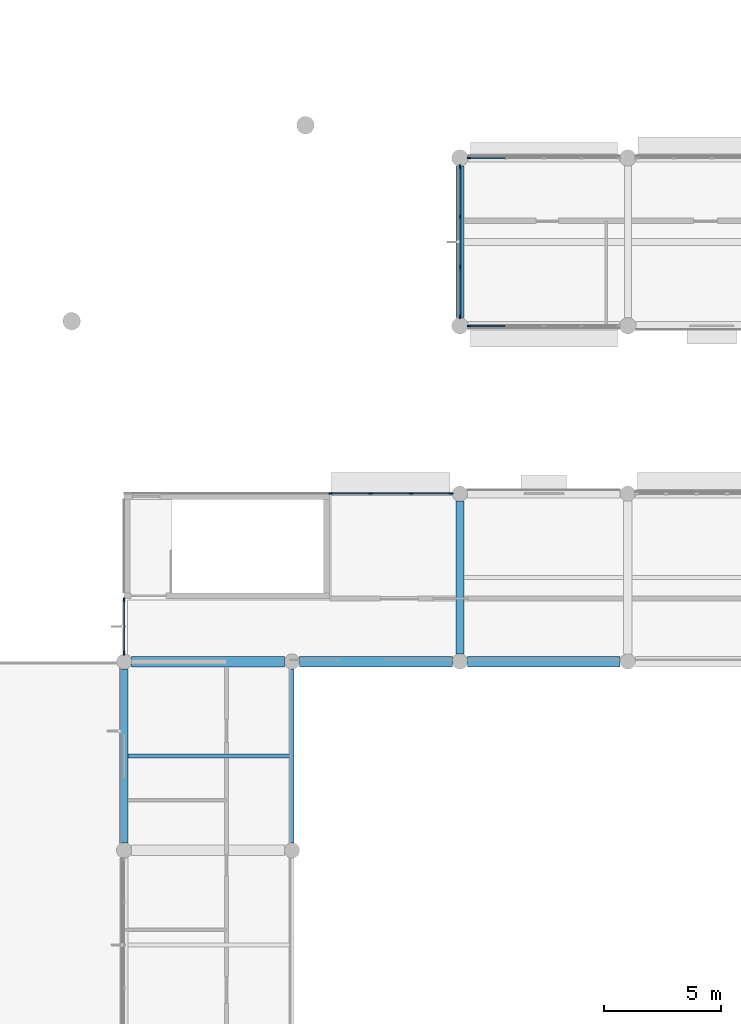
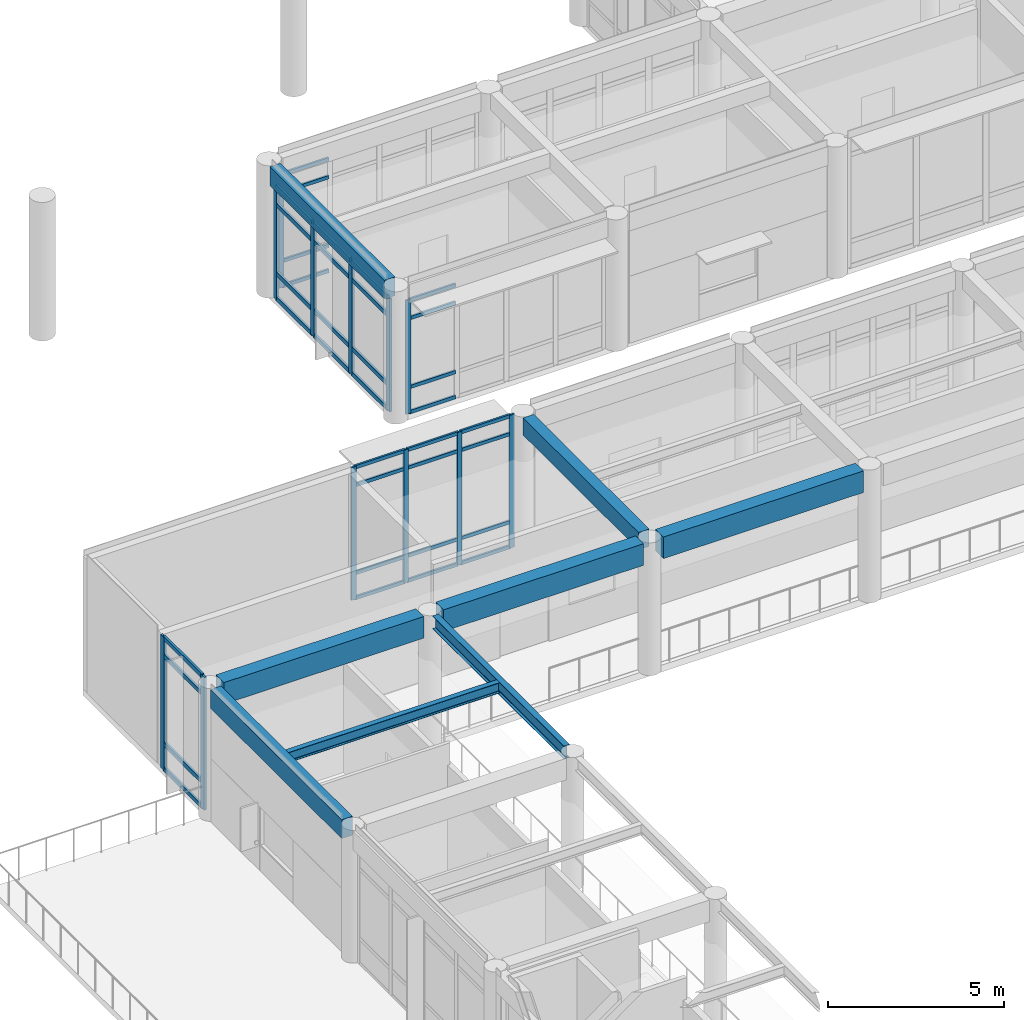
# One storey, part 17 of 92: 48 members, 8 beams, 5 elements without a shape of their own.
"""IFC4 building model written with IfcOpenShell, lengths in metres."""

from ifc_helpers import new_model, si_unit, direction, frame, origin, origin_2d, place, context, subcontext, project, spatial, rectangle, i_section, extrude, material, layer, layer_set, material_profile, profile_set, type_object, element, aggregate, save


model = new_model("IFC4")

# Units and contexts
model_context = context("Model", 3, precision=1e-05, world=origin(), true_north=direction((0.0, 1.0)))
body_context = subcontext(model_context, "Body", "Model", "MODEL_VIEW")
ifc_project = project(units=[si_unit("LENGTHUNIT", "METRE"), si_unit("AREAUNIT", "SQUARE_METRE"), si_unit("VOLUMEUNIT", "CUBIC_METRE"), si_unit("PLANEANGLEUNIT", "RADIAN"), si_unit("MASSUNIT", "GRAM", prefix="KILO")], contexts=[model_context])

# Site, building, storey
site_placement = place(None, origin())
site = spatial("IfcSite", under=ifc_project, at=site_placement, CompositionType="ELEMENT")
building_placement = place(site_placement, origin())
building = spatial("IfcBuilding", under=site, at=building_placement, Name="Namkhue Oval Health Centre", CompositionType="ELEMENT")
storey_placement = place(building_placement, frame((0.0, 0.0, 4.800048828125)))
storey = spatial("IfcBuildingStorey", under=building, at=storey_placement, Name="L01", CompositionType="ELEMENT", Elevation=4.800048828125)

# Curtain wall, members
ifc_material_1 = material(Name="Anodised aluminium EN AW-6063 T6", Category="aluminium")
ifc_layer_1 = layer(ifc_material_1, 0.159912109375)
ifc_layer_set_1 = layer_set([ifc_layer_1], Name="Anodised aluminium EN AW-6063 T6")
curtain_wall_type_1 = type_object("IfcCurtainWallType", Name="UNITISED CURTAIN WALL M1500", PredefinedType="NOTDEFINED", material=ifc_layer_set_1)
curtain_wall_1_placement = place(storey_placement, origin())
curtain_wall_1 = element("IfcCurtainWall", 1, at=curtain_wall_1_placement, inside=storey, type_object=curtain_wall_type_1, Name="Volume V1 L01 Unitised Curtain Wall 33", PredefinedType="NOTDEFINED")
ifc_material_profile_1 = material_profile(ifc_material_1, rectangle(XDim=0.06494140625, YDim=0.159912109375, at=origin_2d()), Name="ALU 65x160")
ifc_profile_set_1 = profile_set([ifc_material_profile_1], Name="Anodised aluminium EN AW-6063 T6")
member_type_1 = type_object("IfcMemberType", Name="CURTAIN WALL MULLION 65X160", PredefinedType="MULLION", material=ifc_profile_set_1)
member_1_placement = place(storey_placement, frame((35.632568359375, 82.800048828125, 0.0), z_axis=(0.0, 0.0, 1.0), x_axis=(0.0, -1.0, 0.0)))
member_1 = element("IfcMember", 2, at=member_1_placement, type_object=member_type_1, Name="CW-03 mullion 1", PredefinedType="MULLION", context=body_context, shape_type="SweptSolid", body=[
    extrude(rectangle(XDim=0.06494140625, YDim=0.159912109375, at=origin_2d()), origin(), (0.0, 0.0, 1.0), 4.599853515625),
])
member_2_placement = place(storey_placement, frame((33.915771484375, 82.800048828125, 0.0), z_axis=(0.0, 0.0, 1.0), x_axis=(0.0, -1.0, 0.0)))
member_2 = element("IfcMember", 3, at=member_2_placement, type_object=member_type_1, Name="CW-03 mullion 2", PredefinedType="MULLION", context=body_context, shape_type="SweptSolid", body=[
    extrude(rectangle(XDim=0.06494140625, YDim=0.159912109375, at=origin_2d()), origin(), (0.0, 0.0, 1.0), 4.599853515625),
])
member_3_placement = place(storey_placement, frame((32.166259765625, 82.800048828125, 0.0), z_axis=(0.0, 0.0, 1.0), x_axis=(0.0, -1.0, 0.0)))
member_3 = element("IfcMember", 4, at=member_3_placement, type_object=member_type_1, Name="CW-03 mullion 3", PredefinedType="MULLION", context=body_context, shape_type="SweptSolid", body=[
    extrude(rectangle(XDim=0.06494140625, YDim=0.159912109375, at=origin_2d()), origin(), (0.0, 0.0, 1.0), 4.599853515625),
])
member_4_placement = place(storey_placement, frame((30.449462890625, 82.800048828125, 0.0), z_axis=(0.0, 0.0, 1.0), x_axis=(0.0, -1.0, 0.0)))
member_4 = element("IfcMember", 5, at=member_4_placement, type_object=member_type_1, Name="CW-03 mullion 4", PredefinedType="MULLION", context=body_context, shape_type="SweptSolid", body=[
    extrude(rectangle(XDim=0.06494140625, YDim=0.159912109375, at=origin_2d()), origin(), (0.0, 0.0, 1.0), 4.599853515625),
])

# Curtain wall, member
ifc_layer_2 = layer(ifc_material_1, 0.159912109375)
ifc_layer_set_2 = layer_set([ifc_layer_2], Name="Anodised aluminium EN AW-6063 T6")
curtain_wall_type_2 = type_object("IfcCurtainWallType", Name="UNITISED CURTAIN WALL M1800", PredefinedType="NOTDEFINED", material=ifc_layer_set_2)
curtain_wall_2_placement = place(storey_placement, origin())
curtain_wall_2 = element("IfcCurtainWall", 6, at=curtain_wall_2_placement, inside=storey, type_object=curtain_wall_type_2, Name="Volume V2 L01 Unitised Curtain Wall 47", PredefinedType="NOTDEFINED")
member_5_placement = place(storey_placement, frame((36.392578125, 90.0, 0.0), z_axis=(0.0, 0.0, 1.0), x_axis=(0.0, 1.0, 0.0)))
member_5 = element("IfcMember", 7, at=member_5_placement, type_object=member_type_1, Name="CW-05 mullion 1", PredefinedType="MULLION", context=body_context, shape_type="SweptSolid", body=[
    extrude(rectangle(XDim=0.06494140625, YDim=0.159912109375, at=origin_2d()), origin(), (0.0, 0.0, 1.0), 3.93505859375),
])

curtain_wall_3_placement = place(storey_placement, origin())
curtain_wall_3 = element("IfcCurtainWall", 8, at=curtain_wall_3_placement, inside=storey, type_object=curtain_wall_type_2, Name="Volume V2 L01 Unitised Curtain Wall 59", PredefinedType="NOTDEFINED")
member_6_placement = place(storey_placement, frame((36.392578125, 97.199951171875, 0.0), z_axis=(0.0, 0.0, 1.0), x_axis=(0.0, -1.0, 0.0)))
member_6 = element("IfcMember", 9, at=member_6_placement, type_object=member_type_1, Name="CW-05 mullion 5", PredefinedType="MULLION", context=body_context, shape_type="SweptSolid", body=[
    extrude(rectangle(XDim=0.06494140625, YDim=0.159912109375, at=origin_2d()), origin(), (0.0, 0.0, 1.0), 3.93505859375),
])

# Curtain wall, members
ifc_layer_3 = layer(ifc_material_1, 0.159912109375)
ifc_layer_set_3 = layer_set([ifc_layer_3], Name="Anodised aluminium EN AW-6063 T6")
curtain_wall_type_3 = type_object("IfcCurtainWallType", Name="UNITISED CURTAIN WALL M1600", PredefinedType="NOTDEFINED", material=ifc_layer_set_3)
curtain_wall_4_placement = place(storey_placement, origin())
curtain_wall_4 = element("IfcCurtainWall", 10, at=curtain_wall_4_placement, inside=storey, type_object=curtain_wall_type_3, Name="Volume V1 L01 Unitised Curtain Wall 34", PredefinedType="NOTDEFINED")
ifc_material_profile_2 = material_profile(ifc_material_1, rectangle(XDim=0.074951171875, YDim=0.199951171875, at=origin_2d()), Name="ALU 75x200")
ifc_profile_set_2 = profile_set([ifc_material_profile_2], Name="Anodised aluminium EN AW-6063 T6")
member_type_2 = type_object("IfcMemberType", Name="CURTAIN WALL MULLION 75X200", PredefinedType="MULLION", material=ifc_profile_set_2)
member_7_placement = place(storey_placement, frame((21.60009765625, 78.24560546875, 0.0), z_axis=(0.0, 0.0, 1.0), x_axis=(1.0, 0.0, 0.0)))
member_7 = element("IfcMember", 11, at=member_7_placement, type_object=member_type_2, Name="CW-04 mullion 1", PredefinedType="MULLION", context=body_context, shape_type="SweptSolid", body=[
    extrude(rectangle(XDim=0.074951171875, YDim=0.199951171875, at=origin_2d()), origin(), (0.0, 0.0, 1.0), 4.599853515625),
])
member_8_placement = place(storey_placement, frame((21.60009765625, 75.972412109375, 0.0), z_axis=(0.0, 0.0, 1.0), x_axis=(1.0, 0.0, 0.0)))
member_8 = element("IfcMember", 12, at=member_8_placement, type_object=member_type_2, Name="CW-04 mullion 2", PredefinedType="MULLION", context=body_context, shape_type="SweptSolid", body=[
    extrude(rectangle(XDim=0.074951171875, YDim=0.199951171875, at=origin_2d()), origin(), (0.0, 0.0, 1.0), 4.599853515625),
])

ifc_layer_4 = layer(ifc_material_1, 0.159912109375)
ifc_layer_set_4 = layer_set([ifc_layer_4], Name="Anodised aluminium EN AW-6063 T6")
curtain_wall_type_4 = type_object("IfcCurtainWallType", Name="UNITISED CURTAIN WALL M2000", PredefinedType="NOTDEFINED", material=ifc_layer_set_4)
curtain_wall_5_placement = place(storey_placement, origin())
curtain_wall_5 = element("IfcCurtainWall", 13, at=curtain_wall_5_placement, inside=storey, type_object=curtain_wall_type_4, Name="Volume V2 L01 Unitised Curtain Wall 60", PredefinedType="NOTDEFINED")
member_9_placement = place(storey_placement, frame((36.0, 96.802490234375, 0.0), z_axis=(0.0, 0.0, 1.0), x_axis=(1.0, 0.0, 0.0)))
member_9 = element("IfcMember", 14, at=member_9_placement, type_object=member_type_2, Name="CW-06 mullion 1", PredefinedType="MULLION", context=body_context, shape_type="SweptSolid", body=[
    extrude(rectangle(XDim=0.074951171875, YDim=0.199951171875, at=origin_2d()), origin(), (0.0, 0.0, 1.0), 3.93505859375),
])
member_10_placement = place(storey_placement, frame((36.0, 94.679931640625, 0.0), z_axis=(0.0, 0.0, 1.0), x_axis=(1.0, 0.0, 0.0)))
member_10 = element("IfcMember", 15, at=member_10_placement, type_object=member_type_2, Name="CW-06 mullion 2", PredefinedType="MULLION", context=body_context, shape_type="SweptSolid", body=[
    extrude(rectangle(XDim=0.074951171875, YDim=0.199951171875, at=origin_2d()), origin(), (0.0, 0.0, 1.0), 3.93505859375),
])
member_11_placement = place(storey_placement, frame((36.0, 92.52001953125, 0.0), z_axis=(0.0, 0.0, 1.0), x_axis=(1.0, 0.0, 0.0)))
member_11 = element("IfcMember", 16, at=member_11_placement, type_object=member_type_2, Name="CW-06 mullion 3", PredefinedType="MULLION", context=body_context, shape_type="SweptSolid", body=[
    extrude(rectangle(XDim=0.074951171875, YDim=0.199951171875, at=origin_2d()), origin(), (0.0, 0.0, 1.0), 3.93505859375),
])
member_12_placement = place(storey_placement, frame((36.0, 90.3974609375, 0.0), z_axis=(0.0, 0.0, 1.0), x_axis=(1.0, 0.0, 0.0)))
member_12 = element("IfcMember", 17, at=member_12_placement, type_object=member_type_2, Name="CW-06 mullion 4", PredefinedType="MULLION", context=body_context, shape_type="SweptSolid", body=[
    extrude(rectangle(XDim=0.074951171875, YDim=0.199951171875, at=origin_2d()), origin(), (0.0, 0.0, 1.0), 3.93505859375),
])

# Member
ifc_material_profile_3 = material_profile(ifc_material_1, rectangle(XDim=0.06494140625, YDim=0.1201171875, at=origin_2d()), Name="ALU 65x120")
ifc_profile_set_3 = profile_set([ifc_material_profile_3], Name="Anodised aluminium EN AW-6063 T6")
member_type_3 = type_object("IfcMemberType", Name="CURTAIN WALL TRANSOM 65X120", PredefinedType="USERDEFINED", material=ifc_profile_set_3)
member_13_placement = place(storey_placement, frame((35.60009765625, 82.800048828125, 0.032470703125), z_axis=(-1.0, 0.0, 0.0), x_axis=(0.0, -1.0, 0.0)))
member_13 = element("IfcMember", 18, at=member_13_placement, type_object=member_type_3, Name="CW-03 transom 1.1", ObjectType="TRANSOM", PredefinedType="USERDEFINED", context=body_context, shape_type="SweptSolid", body=[
    extrude(rectangle(XDim=0.06494140625, YDim=0.1201171875, at=origin_2d()), origin(), (0.0, 0.0, 1.0), 1.65185546875),
])

member_14_placement = place(storey_placement, frame((35.60009765625, 82.800048828125, 0.89990234375), z_axis=(-1.0, 0.0, 0.0), x_axis=(0.0, -1.0, 0.0)))
member_14 = element("IfcMember", 19, at=member_14_placement, type_object=member_type_3, Name="CW-03 transom 1.2", ObjectType="TRANSOM", PredefinedType="USERDEFINED", context=body_context, shape_type="SweptSolid", body=[
    extrude(rectangle(XDim=0.06494140625, YDim=0.1201171875, at=origin_2d()), origin(), (0.0, 0.0, 1.0), 1.65185546875),
])

member_15_placement = place(storey_placement, frame((35.60009765625, 82.800048828125, 3.949951171875), z_axis=(-1.0, 0.0, 0.0), x_axis=(0.0, -1.0, 0.0)))
member_15 = element("IfcMember", 20, at=member_15_placement, type_object=member_type_3, Name="CW-03 transom 1.3", ObjectType="TRANSOM", PredefinedType="USERDEFINED", context=body_context, shape_type="SweptSolid", body=[
    extrude(rectangle(XDim=0.06494140625, YDim=0.1201171875, at=origin_2d()), origin(), (0.0, 0.0, 1.0), 1.65185546875),
])

member_16_placement = place(storey_placement, frame((35.60009765625, 82.800048828125, 4.5673828125), z_axis=(-1.0, 0.0, 0.0), x_axis=(0.0, -1.0, 0.0)))
member_16 = element("IfcMember", 21, at=member_16_placement, type_object=member_type_3, Name="CW-03 transom 1.4", ObjectType="TRANSOM", PredefinedType="USERDEFINED", context=body_context, shape_type="SweptSolid", body=[
    extrude(rectangle(XDim=0.06494140625, YDim=0.1201171875, at=origin_2d()), origin(), (0.0, 0.0, 1.0), 1.65185546875),
])

member_17_placement = place(storey_placement, frame((33.883056640625, 82.800048828125, 0.032470703125), z_axis=(-1.0, 0.0, 0.0), x_axis=(0.0, -1.0, 0.0)))
member_17 = element("IfcMember", 22, at=member_17_placement, type_object=member_type_3, Name="CW-03 transom 2.1", ObjectType="TRANSOM", PredefinedType="USERDEFINED", context=body_context, shape_type="SweptSolid", body=[
    extrude(rectangle(XDim=0.06494140625, YDim=0.1201171875, at=origin_2d()), origin(), (0.0, 0.0, 1.0), 1.684326171875),
])

member_18_placement = place(storey_placement, frame((33.883056640625, 82.800048828125, 0.89990234375), z_axis=(-1.0, 0.0, 0.0), x_axis=(0.0, -1.0, 0.0)))
member_18 = element("IfcMember", 23, at=member_18_placement, type_object=member_type_3, Name="CW-03 transom 2.2", ObjectType="TRANSOM", PredefinedType="USERDEFINED", context=body_context, shape_type="SweptSolid", body=[
    extrude(rectangle(XDim=0.06494140625, YDim=0.1201171875, at=origin_2d()), origin(), (0.0, 0.0, 1.0), 1.684326171875),
])

member_19_placement = place(storey_placement, frame((33.883056640625, 82.800048828125, 3.949951171875), z_axis=(-1.0, 0.0, 0.0), x_axis=(0.0, -1.0, 0.0)))
member_19 = element("IfcMember", 24, at=member_19_placement, type_object=member_type_3, Name="CW-03 transom 2.3", ObjectType="TRANSOM", PredefinedType="USERDEFINED", context=body_context, shape_type="SweptSolid", body=[
    extrude(rectangle(XDim=0.06494140625, YDim=0.1201171875, at=origin_2d()), origin(), (0.0, 0.0, 1.0), 1.684326171875),
])

member_20_placement = place(storey_placement, frame((33.883056640625, 82.800048828125, 4.5673828125), z_axis=(-1.0, 0.0, 0.0), x_axis=(0.0, -1.0, 0.0)))
member_20 = element("IfcMember", 25, at=member_20_placement, type_object=member_type_3, Name="CW-03 transom 2.4", ObjectType="TRANSOM", PredefinedType="USERDEFINED", context=body_context, shape_type="SweptSolid", body=[
    extrude(rectangle(XDim=0.06494140625, YDim=0.1201171875, at=origin_2d()), origin(), (0.0, 0.0, 1.0), 1.684326171875),
])

member_21_placement = place(storey_placement, frame((32.1337890625, 82.800048828125, 0.032470703125), z_axis=(-1.0, 0.0, 0.0), x_axis=(0.0, -1.0, 0.0)))
member_21 = element("IfcMember", 26, at=member_21_placement, type_object=member_type_3, Name="CW-03 transom 3.1", ObjectType="TRANSOM", PredefinedType="USERDEFINED", context=body_context, shape_type="SweptSolid", body=[
    extrude(rectangle(XDim=0.06494140625, YDim=0.1201171875, at=origin_2d()), origin(), (0.0, 0.0, 1.0), 1.65185546875),
])

member_22_placement = place(storey_placement, frame((32.1337890625, 82.800048828125, 0.89990234375), z_axis=(-1.0, 0.0, 0.0), x_axis=(0.0, -1.0, 0.0)))
member_22 = element("IfcMember", 27, at=member_22_placement, type_object=member_type_3, Name="CW-03 transom 3.2", ObjectType="TRANSOM", PredefinedType="USERDEFINED", context=body_context, shape_type="SweptSolid", body=[
    extrude(rectangle(XDim=0.06494140625, YDim=0.1201171875, at=origin_2d()), origin(), (0.0, 0.0, 1.0), 1.65185546875),
])

member_23_placement = place(storey_placement, frame((32.1337890625, 82.800048828125, 3.949951171875), z_axis=(-1.0, 0.0, 0.0), x_axis=(0.0, -1.0, 0.0)))
member_23 = element("IfcMember", 28, at=member_23_placement, type_object=member_type_3, Name="CW-03 transom 3.3", ObjectType="TRANSOM", PredefinedType="USERDEFINED", context=body_context, shape_type="SweptSolid", body=[
    extrude(rectangle(XDim=0.06494140625, YDim=0.1201171875, at=origin_2d()), origin(), (0.0, 0.0, 1.0), 1.65185546875),
])

member_24_placement = place(storey_placement, frame((32.1337890625, 82.800048828125, 4.5673828125), z_axis=(-1.0, 0.0, 0.0), x_axis=(0.0, -1.0, 0.0)))
member_24 = element("IfcMember", 29, at=member_24_placement, type_object=member_type_3, Name="CW-03 transom 3.4", ObjectType="TRANSOM", PredefinedType="USERDEFINED", context=body_context, shape_type="SweptSolid", body=[
    extrude(rectangle(XDim=0.06494140625, YDim=0.1201171875, at=origin_2d()), origin(), (0.0, 0.0, 1.0), 1.65185546875),
])

aggregate(curtain_wall_1, [member_1, member_2, member_3, member_4, member_13, member_14, member_15, member_16, member_17, member_18, member_19, member_20, member_21, member_22, member_23, member_24])

member_25_placement = place(storey_placement, frame((36.425048828125, 90.0, 0.032470703125), z_axis=(1.0, 0.0, 0.0), x_axis=(0.0, 1.0, 0.0)))
member_25 = element("IfcMember", 30, at=member_25_placement, type_object=member_type_3, Name="CW-05 transom 1.1", ObjectType="TRANSOM", PredefinedType="USERDEFINED", context=body_context, shape_type="SweptSolid", body=[
    extrude(rectangle(XDim=0.06494140625, YDim=0.1201171875, at=origin_2d()), origin(), (0.0, 0.0, 1.0), 1.5224609375),
])

member_26_placement = place(storey_placement, frame((36.425048828125, 90.0, 0.89990234375), z_axis=(1.0, 0.0, 0.0), x_axis=(0.0, 1.0, 0.0)))
member_26 = element("IfcMember", 31, at=member_26_placement, type_object=member_type_3, Name="CW-05 transom 1.2", ObjectType="TRANSOM", PredefinedType="USERDEFINED", context=body_context, shape_type="SweptSolid", body=[
    extrude(rectangle(XDim=0.06494140625, YDim=0.1201171875, at=origin_2d()), origin(), (0.0, 0.0, 1.0), 1.5224609375),
])

member_27_placement = place(storey_placement, frame((36.425048828125, 90.0, 3.284912109375), z_axis=(1.0, 0.0, 0.0), x_axis=(0.0, 1.0, 0.0)))
member_27 = element("IfcMember", 32, at=member_27_placement, type_object=member_type_3, Name="CW-05 transom 1.3", ObjectType="TRANSOM", PredefinedType="USERDEFINED", context=body_context, shape_type="SweptSolid", body=[
    extrude(rectangle(XDim=0.06494140625, YDim=0.1201171875, at=origin_2d()), origin(), (0.0, 0.0, 1.0), 1.5224609375),
])

member_28_placement = place(storey_placement, frame((36.425048828125, 90.0, 3.90234375), z_axis=(1.0, 0.0, 0.0), x_axis=(0.0, 1.0, 0.0)))
member_28 = element("IfcMember", 33, at=member_28_placement, type_object=member_type_3, Name="CW-05 transom 1.4", ObjectType="TRANSOM", PredefinedType="USERDEFINED", context=body_context, shape_type="SweptSolid", body=[
    extrude(rectangle(XDim=0.06494140625, YDim=0.1201171875, at=origin_2d()), origin(), (0.0, 0.0, 1.0), 1.5224609375),
])

aggregate(curtain_wall_2, [member_5, member_25, member_26, member_27, member_28])

member_29_placement = place(storey_placement, frame((37.947509765625, 97.199951171875, 0.032470703125), z_axis=(-1.0, 0.0, 0.0), x_axis=(0.0, -1.0, 0.0)))
member_29 = element("IfcMember", 34, at=member_29_placement, type_object=member_type_3, Name="CW-05 transom 4.1", ObjectType="TRANSOM", PredefinedType="USERDEFINED", context=body_context, shape_type="SweptSolid", body=[
    extrude(rectangle(XDim=0.06494140625, YDim=0.1201171875, at=origin_2d()), origin(), (0.0, 0.0, 1.0), 1.5224609375),
])

member_30_placement = place(storey_placement, frame((37.947509765625, 97.199951171875, 0.89990234375), z_axis=(-1.0, 0.0, 0.0), x_axis=(0.0, -1.0, 0.0)))
member_30 = element("IfcMember", 35, at=member_30_placement, type_object=member_type_3, Name="CW-05 transom 4.2", ObjectType="TRANSOM", PredefinedType="USERDEFINED", context=body_context, shape_type="SweptSolid", body=[
    extrude(rectangle(XDim=0.06494140625, YDim=0.1201171875, at=origin_2d()), origin(), (0.0, 0.0, 1.0), 1.5224609375),
])

member_31_placement = place(storey_placement, frame((37.947509765625, 97.199951171875, 3.284912109375), z_axis=(-1.0, 0.0, 0.0), x_axis=(0.0, -1.0, 0.0)))
member_31 = element("IfcMember", 36, at=member_31_placement, type_object=member_type_3, Name="CW-05 transom 4.3", ObjectType="TRANSOM", PredefinedType="USERDEFINED", context=body_context, shape_type="SweptSolid", body=[
    extrude(rectangle(XDim=0.06494140625, YDim=0.1201171875, at=origin_2d()), origin(), (0.0, 0.0, 1.0), 1.5224609375),
])

member_32_placement = place(storey_placement, frame((37.947509765625, 97.199951171875, 3.90234375), z_axis=(-1.0, 0.0, 0.0), x_axis=(0.0, -1.0, 0.0)))
member_32 = element("IfcMember", 37, at=member_32_placement, type_object=member_type_3, Name="CW-05 transom 4.4", ObjectType="TRANSOM", PredefinedType="USERDEFINED", context=body_context, shape_type="SweptSolid", body=[
    extrude(rectangle(XDim=0.06494140625, YDim=0.1201171875, at=origin_2d()), origin(), (0.0, 0.0, 1.0), 1.5224609375),
])

aggregate(curtain_wall_3, [member_6, member_29, member_30, member_31, member_32])

ifc_material_profile_4 = material_profile(ifc_material_1, rectangle(XDim=0.074951171875, YDim=0.14990234375, at=origin_2d()), Name="ALU 75x150")
ifc_profile_set_4 = profile_set([ifc_material_profile_4], Name="Anodised aluminium EN AW-6063 T6")
member_type_4 = type_object("IfcMemberType", Name="CURTAIN WALL TRANSOM 75X150", PredefinedType="USERDEFINED", material=ifc_profile_set_4)
member_33_placement = place(storey_placement, frame((21.60009765625, 78.2080078125, 0.037353515625), z_axis=(0.0, -1.0, 0.0), x_axis=(1.0, 0.0, 0.0)))
member_33 = element("IfcMember", 38, at=member_33_placement, type_object=member_type_4, Name="CW-04 transom 1.1", ObjectType="TRANSOM", PredefinedType="USERDEFINED", context=body_context, shape_type="SweptSolid", body=[
    extrude(rectangle(XDim=0.074951171875, YDim=0.14990234375, at=origin_2d()), origin(), (0.0, 0.0, 1.0), 2.197998046875),
])

member_34_placement = place(storey_placement, frame((21.60009765625, 78.2080078125, 0.89990234375), z_axis=(0.0, -1.0, 0.0), x_axis=(1.0, 0.0, 0.0)))
member_34 = element("IfcMember", 39, at=member_34_placement, type_object=member_type_4, Name="CW-04 transom 1.2", ObjectType="TRANSOM", PredefinedType="USERDEFINED", context=body_context, shape_type="SweptSolid", body=[
    extrude(rectangle(XDim=0.074951171875, YDim=0.14990234375, at=origin_2d()), origin(), (0.0, 0.0, 1.0), 2.197998046875),
])

member_35_placement = place(storey_placement, frame((21.60009765625, 78.2080078125, 3.949951171875), z_axis=(0.0, -1.0, 0.0), x_axis=(1.0, 0.0, 0.0)))
member_35 = element("IfcMember", 40, at=member_35_placement, type_object=member_type_4, Name="CW-04 transom 1.3", ObjectType="TRANSOM", PredefinedType="USERDEFINED", context=body_context, shape_type="SweptSolid", body=[
    extrude(rectangle(XDim=0.074951171875, YDim=0.14990234375, at=origin_2d()), origin(), (0.0, 0.0, 1.0), 2.197998046875),
])

member_36_placement = place(storey_placement, frame((21.60009765625, 78.2080078125, 4.5625), z_axis=(0.0, -1.0, 0.0), x_axis=(1.0, 0.0, 0.0)))
member_36 = element("IfcMember", 41, at=member_36_placement, type_object=member_type_4, Name="CW-04 transom 1.4", ObjectType="TRANSOM", PredefinedType="USERDEFINED", context=body_context, shape_type="SweptSolid", body=[
    extrude(rectangle(XDim=0.074951171875, YDim=0.14990234375, at=origin_2d()), origin(), (0.0, 0.0, 1.0), 2.197998046875),
])

aggregate(curtain_wall_4, [member_7, member_8, member_33, member_34, member_35, member_36])

member_37_placement = place(storey_placement, frame((36.0, 96.764892578125, 0.037353515625), z_axis=(0.0, -1.0, 0.0), x_axis=(1.0, 0.0, 0.0)))
member_37 = element("IfcMember", 42, at=member_37_placement, type_object=member_type_4, Name="CW-06 transom 1.1", ObjectType="TRANSOM", PredefinedType="USERDEFINED", context=body_context, shape_type="SweptSolid", body=[
    extrude(rectangle(XDim=0.074951171875, YDim=0.14990234375, at=origin_2d()), origin(), (0.0, 0.0, 1.0), 2.04736328125),
])

member_38_placement = place(storey_placement, frame((36.0, 96.764892578125, 0.89990234375), z_axis=(0.0, -1.0, 0.0), x_axis=(1.0, 0.0, 0.0)))
member_38 = element("IfcMember", 43, at=member_38_placement, type_object=member_type_4, Name="CW-06 transom 1.2", ObjectType="TRANSOM", PredefinedType="USERDEFINED", context=body_context, shape_type="SweptSolid", body=[
    extrude(rectangle(XDim=0.074951171875, YDim=0.14990234375, at=origin_2d()), origin(), (0.0, 0.0, 1.0), 2.04736328125),
])

member_39_placement = place(storey_placement, frame((36.0, 96.764892578125, 3.284912109375), z_axis=(0.0, -1.0, 0.0), x_axis=(1.0, 0.0, 0.0)))
member_39 = element("IfcMember", 44, at=member_39_placement, type_object=member_type_4, Name="CW-06 transom 1.3", ObjectType="TRANSOM", PredefinedType="USERDEFINED", context=body_context, shape_type="SweptSolid", body=[
    extrude(rectangle(XDim=0.074951171875, YDim=0.14990234375, at=origin_2d()), origin(), (0.0, 0.0, 1.0), 2.04736328125),
])

member_40_placement = place(storey_placement, frame((36.0, 96.764892578125, 3.8974609375), z_axis=(0.0, -1.0, 0.0), x_axis=(1.0, 0.0, 0.0)))
member_40 = element("IfcMember", 45, at=member_40_placement, type_object=member_type_4, Name="CW-06 transom 1.4", ObjectType="TRANSOM", PredefinedType="USERDEFINED", context=body_context, shape_type="SweptSolid", body=[
    extrude(rectangle(XDim=0.074951171875, YDim=0.14990234375, at=origin_2d()), origin(), (0.0, 0.0, 1.0), 2.04736328125),
])

member_41_placement = place(storey_placement, frame((36.0, 94.642578125, 0.037353515625), z_axis=(0.0, -1.0, 0.0), x_axis=(1.0, 0.0, 0.0)))
member_41 = element("IfcMember", 46, at=member_41_placement, type_object=member_type_4, Name="CW-06 transom 2.1", ObjectType="TRANSOM", PredefinedType="USERDEFINED", context=body_context, shape_type="SweptSolid", body=[
    extrude(rectangle(XDim=0.074951171875, YDim=0.14990234375, at=origin_2d()), origin(), (0.0, 0.0, 1.0), 2.0849609375),
])

member_42_placement = place(storey_placement, frame((36.0, 94.642578125, 0.89990234375), z_axis=(0.0, -1.0, 0.0), x_axis=(1.0, 0.0, 0.0)))
member_42 = element("IfcMember", 47, at=member_42_placement, type_object=member_type_4, Name="CW-06 transom 2.2", ObjectType="TRANSOM", PredefinedType="USERDEFINED", context=body_context, shape_type="SweptSolid", body=[
    extrude(rectangle(XDim=0.074951171875, YDim=0.14990234375, at=origin_2d()), origin(), (0.0, 0.0, 1.0), 2.0849609375),
])

member_43_placement = place(storey_placement, frame((36.0, 94.642578125, 3.284912109375), z_axis=(0.0, -1.0, 0.0), x_axis=(1.0, 0.0, 0.0)))
member_43 = element("IfcMember", 48, at=member_43_placement, type_object=member_type_4, Name="CW-06 transom 2.3", ObjectType="TRANSOM", PredefinedType="USERDEFINED", context=body_context, shape_type="SweptSolid", body=[
    extrude(rectangle(XDim=0.074951171875, YDim=0.14990234375, at=origin_2d()), origin(), (0.0, 0.0, 1.0), 2.0849609375),
])

member_44_placement = place(storey_placement, frame((36.0, 94.642578125, 3.8974609375), z_axis=(0.0, -1.0, 0.0), x_axis=(1.0, 0.0, 0.0)))
member_44 = element("IfcMember", 49, at=member_44_placement, type_object=member_type_4, Name="CW-06 transom 2.4", ObjectType="TRANSOM", PredefinedType="USERDEFINED", context=body_context, shape_type="SweptSolid", body=[
    extrude(rectangle(XDim=0.074951171875, YDim=0.14990234375, at=origin_2d()), origin(), (0.0, 0.0, 1.0), 2.0849609375),
])

member_45_placement = place(storey_placement, frame((36.0, 92.482421875, 0.037353515625), z_axis=(0.0, -1.0, 0.0), x_axis=(1.0, 0.0, 0.0)))
member_45 = element("IfcMember", 50, at=member_45_placement, type_object=member_type_4, Name="CW-06 transom 3.1", ObjectType="TRANSOM", PredefinedType="USERDEFINED", context=body_context, shape_type="SweptSolid", body=[
    extrude(rectangle(XDim=0.074951171875, YDim=0.14990234375, at=origin_2d()), origin(), (0.0, 0.0, 1.0), 2.04736328125),
])

member_46_placement = place(storey_placement, frame((36.0, 92.482421875, 0.89990234375), z_axis=(0.0, -1.0, 0.0), x_axis=(1.0, 0.0, 0.0)))
member_46 = element("IfcMember", 51, at=member_46_placement, type_object=member_type_4, Name="CW-06 transom 3.2", ObjectType="TRANSOM", PredefinedType="USERDEFINED", context=body_context, shape_type="SweptSolid", body=[
    extrude(rectangle(XDim=0.074951171875, YDim=0.14990234375, at=origin_2d()), origin(), (0.0, 0.0, 1.0), 2.04736328125),
])

member_47_placement = place(storey_placement, frame((36.0, 92.482421875, 3.284912109375), z_axis=(0.0, -1.0, 0.0), x_axis=(1.0, 0.0, 0.0)))
member_47 = element("IfcMember", 52, at=member_47_placement, type_object=member_type_4, Name="CW-06 transom 3.3", ObjectType="TRANSOM", PredefinedType="USERDEFINED", context=body_context, shape_type="SweptSolid", body=[
    extrude(rectangle(XDim=0.074951171875, YDim=0.14990234375, at=origin_2d()), origin(), (0.0, 0.0, 1.0), 2.04736328125),
])

member_48_placement = place(storey_placement, frame((36.0, 92.482421875, 3.8974609375), z_axis=(0.0, -1.0, 0.0), x_axis=(1.0, 0.0, 0.0)))
member_48 = element("IfcMember", 53, at=member_48_placement, type_object=member_type_4, Name="CW-06 transom 3.4", ObjectType="TRANSOM", PredefinedType="USERDEFINED", context=body_context, shape_type="SweptSolid", body=[
    extrude(rectangle(XDim=0.074951171875, YDim=0.14990234375, at=origin_2d()), origin(), (0.0, 0.0, 1.0), 2.04736328125),
])

aggregate(curtain_wall_5, [member_9, member_10, member_11, member_12, member_37, member_38, member_39, member_40, member_41, member_42, member_43, member_44, member_45, member_46, member_47, member_48])

# Beams
ifc_material_2 = material(Name="Reinforced concrete C30/37 (TCVN B35)", Category="concrete")
ifc_material_profile_5 = material_profile(ifc_material_2, rectangle(XDim=0.35009765625, YDim=0.60009765625, at=origin_2d()), Name="RC 350x600")
ifc_profile_set_5 = profile_set([ifc_material_profile_5], Name="Reinforced concrete C30/37 (TCVN B35)")
beam_type_1 = type_object("IfcBeamType", Name="FLOOR BEAM RC 350X600", PredefinedType="BEAM", material=ifc_profile_set_5)
beam_1_placement = place(storey_placement, frame((36.0, 75.925048828125, 4.300048828125), z_axis=(0.0, 1.0, 0.0), x_axis=(-1.0, 0.0, 0.0)))
element("IfcBeam", 54, at=beam_1_placement, inside=storey, type_object=beam_type_1, Name="Volume V1 L02 Beam 6/L-M", PredefinedType="BEAM", context=body_context, shape_type="SweptSolid", body=[
    extrude(rectangle(XDim=0.35009765625, YDim=0.60009765625, at=origin_2d()), origin(), (0.0, 0.0, 1.0), 6.550048828125),
])
ifc_material_3 = material(Name="Structural steel EN 10025-2 S355JR (TCVN 5575:2024)", Category="steel")
ifc_material_profile_6 = material_profile(ifc_material_3, i_section(OverallWidth=0.18994140625, OverallDepth=0.449951171875, WebThickness=0.009521484375, FlangeThickness=0.0146484375, FilletRadius=0.02099609375, at=origin_2d()), Name="IPE 450")
ifc_profile_set_6 = profile_set([ifc_material_profile_6], Name="Structural steel EN 10025-2 S355JR (TCVN 5575:2024)")
beam_type_2 = type_object("IfcBeamType", Name="FLOOR BEAM STEEL IPE 450", PredefinedType="BEAM", material=ifc_profile_set_6)
beam_2_placement = place(storey_placement, frame((28.800048828125, 67.824951171875, 4.375), z_axis=(0.0, 1.0, 0.0), x_axis=(-1.0, 0.0, 0.0)))
element("IfcBeam", 55, at=beam_2_placement, inside=storey, type_object=beam_type_2, Name="Volume V1 L02 Beam 5/K-L", PredefinedType="BEAM", context=body_context, shape_type="SweptSolid", body=[
    extrude(i_section(OverallWidth=0.18994140625, OverallDepth=0.449951171875, WebThickness=0.009521484375, FlangeThickness=0.0146484375, FilletRadius=0.02099609375, at=origin_2d()), origin(), (0.0, 0.0, 1.0), 7.449951171875),
])
ifc_material_4 = material(Name="Reinforced concrete C35/45 (TCVN B40)", Category="concrete")
ifc_material_profile_7 = material_profile(ifc_material_4, rectangle(XDim=0.35009765625, YDim=0.64990234375, at=origin_2d()), Name="RC 350x650")
ifc_profile_set_7 = profile_set([ifc_material_profile_7], Name="Reinforced concrete C35/45 (TCVN B40)")
beam_type_3 = type_object("IfcBeamType", Name="PERIMETER SPANDREL BEAM 350X650", PredefinedType="SPANDREL", material=ifc_profile_set_7)
beam_3_placement = place(storey_placement, frame((21.60009765625, 67.824951171875, 4.27490234375), z_axis=(0.0, 1.0, 0.0), x_axis=(-1.0, 0.0, 0.0)))
element("IfcBeam", 56, at=beam_3_placement, inside=storey, type_object=beam_type_3, Name="Volume V1 L02 Beam 4/K-L", PredefinedType="SPANDREL", context=body_context, shape_type="SweptSolid", body=[
    extrude(rectangle(XDim=0.35009765625, YDim=0.64990234375, at=origin_2d()), origin(), (0.0, 0.0, 1.0), 7.449951171875),
])
beam_4_placement = place(storey_placement, frame((36.0, 90.35009765625, 4.260009765625), z_axis=(0.0, 1.0, 0.0), x_axis=(-1.0, 0.0, 0.0)))
element("IfcBeam", 57, at=beam_4_placement, inside=storey, type_object=beam_type_3, Name="Volume V2 L02 Beam 6/N-O", PredefinedType="SPANDREL", context=body_context, shape_type="SweptSolid", body=[
    extrude(rectangle(XDim=0.35009765625, YDim=0.64990234375, at=origin_2d()), origin(), (0.0, 0.0, 1.0), 6.5),
])
ifc_material_profile_8 = material_profile(ifc_material_4, rectangle(XDim=0.449951171875, YDim=0.75, at=origin_2d()), Name="RC 450x750")
ifc_profile_set_8 = profile_set([ifc_material_profile_8], Name="Reinforced concrete C35/45 (TCVN B40)")
beam_type_4 = type_object("IfcBeamType", Name="PRIMARY GIRDER RC 450X750", PredefinedType="USERDEFINED", material=ifc_profile_set_8)
for number, where, z_axis, x_axis, name in (
    (58, (21.925048828125, 75.60009765625, 4.224853515625), (1.0, 0.0, 0.0), (0.0, 1.0, 0.0), "Volume V1 L02 Girder L/4-5"),
    (59, (29.125, 75.60009765625, 4.224853515625), (1.0, 0.0, 0.0), (0.0, 1.0, 0.0), "Volume V1 L02 Girder L/5-6"),
    (60, (36.324951171875, 75.60009765625, 4.224853515625), (1.0, 0.0, 0.0), (0.0, 1.0, 0.0), "Volume V1 L02 Girder L/6-7"),
):
    element("IfcBeam", number, at=place(storey_placement, frame(where, z_axis=z_axis, x_axis=x_axis)), inside=storey, type_object=beam_type_4, Name=name, ObjectType="GIRDER", PredefinedType="USERDEFINED", context=body_context, shape_type="SweptSolid", body=[
        extrude(rectangle(XDim=0.449951171875, YDim=0.75, at=origin_2d()), origin(), (0.0, 0.0, 1.0), 6.550048828125),
    ])
ifc_material_profile_9 = material_profile(ifc_material_3, i_section(OverallWidth=0.169921875, OverallDepth=0.360107421875, WebThickness=0.008056640625, FlangeThickness=0.0126953125, FilletRadius=0.01806640625, at=origin_2d()), Name="IPE 360")
ifc_profile_set_9 = profile_set([ifc_material_profile_9], Name="Structural steel EN 10025-2 S355JR (TCVN 5575:2024)")
beam_type_5 = type_object("IfcBeamType", Name="SECONDARY JOIST STEEL IPE 360", PredefinedType="JOIST", material=ifc_profile_set_9)
beam_5_placement = place(storey_placement, frame((21.77490234375, 71.550048828125, 4.419921875), z_axis=(1.0, 0.0, 0.0), x_axis=(0.0, 1.0, 0.0)))
element("IfcBeam", 61, at=beam_5_placement, inside=storey, type_object=beam_type_5, Name="Volume V1 L02 Secondary Joist 4-5", PredefinedType="JOIST", context=body_context, shape_type="SweptSolid", body=[
    extrude(i_section(OverallWidth=0.169921875, OverallDepth=0.360107421875, WebThickness=0.008056640625, FlangeThickness=0.0126953125, FilletRadius=0.01806640625, at=origin_2d()), origin(), (0.0, 0.0, 1.0), 6.93017578125),
])

save(model, "model.ifc")
